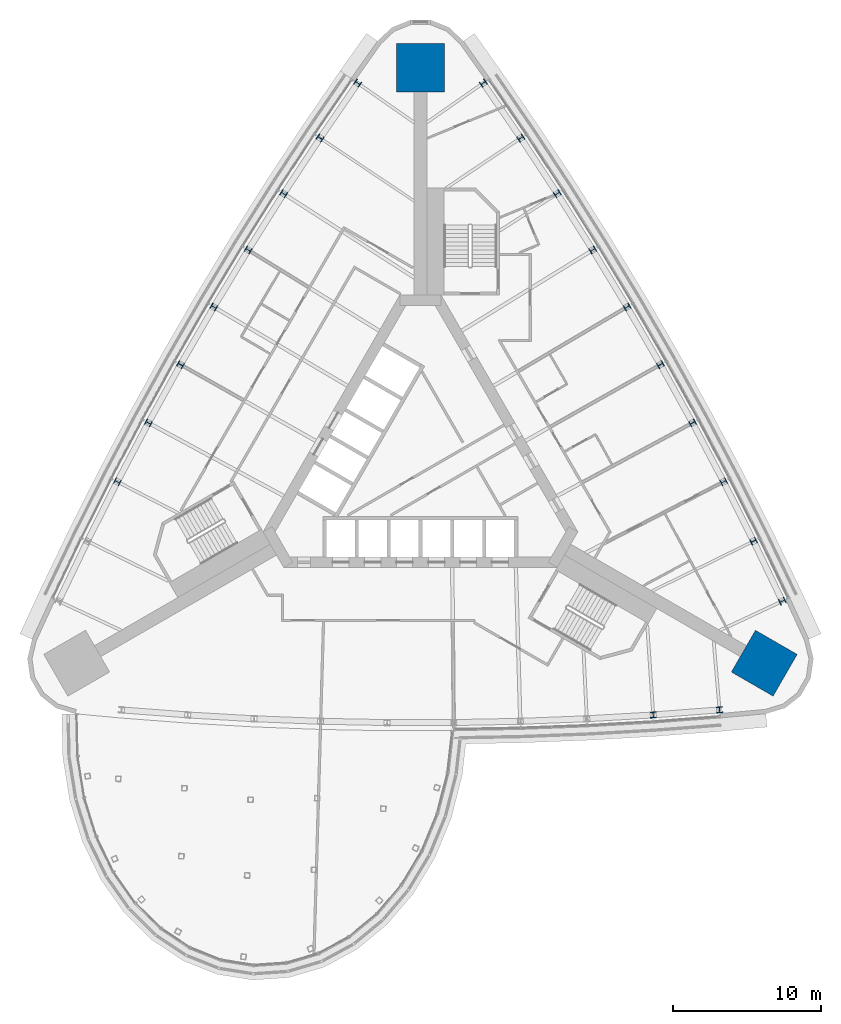
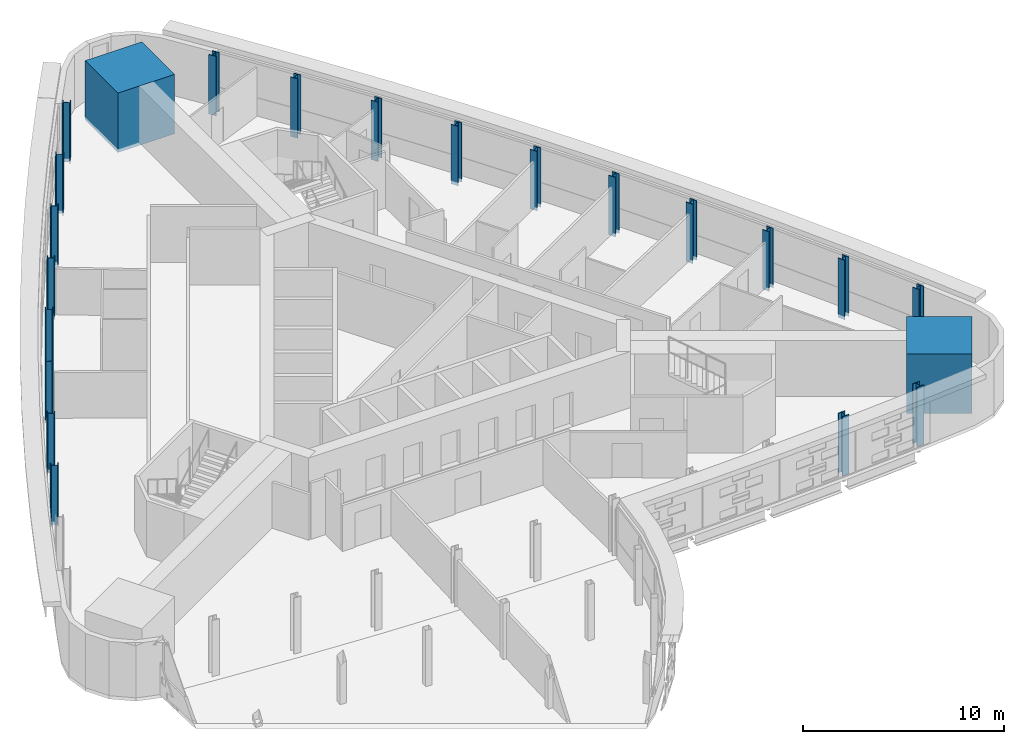
# One storey, part 2 of 15: 22 columns.
"""IFC4 building model written with IfcOpenShell, lengths in metres."""

from ifc_helpers import new_model, si_unit, direction, frame, origin, origin_2d, place, context, subcontext, project, spatial, rectangle, i_section, extrude, material, material_profile, profile_set, type_object, element, save


model = new_model("IFC4")

# Units and contexts
model_context = context("Model", 3, precision=1e-05, world=origin(), true_north=direction((0.0, 1.0)))
body_context = subcontext(model_context, "Body", "Model", "MODEL_VIEW")
ifc_project = project(units=[si_unit("LENGTHUNIT", "METRE"), si_unit("AREAUNIT", "SQUARE_METRE"), si_unit("VOLUMEUNIT", "CUBIC_METRE"), si_unit("PLANEANGLEUNIT", "RADIAN"), si_unit("MASSUNIT", "GRAM", prefix="KILO")], contexts=[model_context])

# Site, building, storey
site_placement = place(None, origin())
site = spatial("IfcSite", under=ifc_project, at=site_placement, CompositionType="ELEMENT")
building_placement = place(site_placement, origin())
building = spatial("IfcBuilding", under=site, at=building_placement, Name="Noor Cloister Tower", CompositionType="ELEMENT")
storey_placement = place(building_placement, frame((0.0, 0.0, 58.199951171875)))
storey = spatial("IfcBuildingStorey", under=building, at=storey_placement, Name="L14", CompositionType="ELEMENT", Elevation=58.199951171875)

# Columns
ifc_material_1 = material(Name="Steel ASTM A992 Gr 50", Category="steel")
ifc_material_profile_1 = material_profile(ifc_material_1, i_section(OverallWidth=0.404052734375, OverallDepth=0.406005859375, WebThickness=0.027099609375, FlangeThickness=0.043701171875, FilletRadius=0.01513671875, at=origin_2d()), Name="W360x347")
ifc_profile_set_1 = profile_set([ifc_material_profile_1], Name="Steel ASTM A992 Gr 50")
column_type_1 = type_object("IfcColumnType", Name="Column W360x347", PredefinedType="COLUMN", material=ifc_profile_set_1)
for number, where, z_axis, x_axis, name in (
    (1, (-4.23291015625, 25.7431640625, -0.199951171875), (0.0, 0.0, 1.0), (-0.572483892702, -0.81991596679, 0.0), "Column NW 01 L14"),
    (2, (-6.767578125, 22.037841796875, -0.199951171875), (0.0, 0.0, 1.0), (-0.556723105522, -0.830698130356, 0.0), "Column NW 02 L14"),
    (3, (-9.231201171875, 18.284912109375, -0.199951171875), (0.0, 0.0, 1.0), (-0.540759305107, -0.84117737365, 0.0), "Column NW 03 L14"),
    (4, (-11.622802734375, 14.4853515625, -0.199951171875), (0.0, 0.0, 1.0), (-0.524598312775, -0.851349875335, 0.0), "Column NW 04 L14"),
    (5, (-13.94140625, 10.64111328125, -0.199951171875), (0.0, 0.0, 1.0), (-0.508246021753, -0.861211925935, 0.0), "Column NW 05 L14"),
    (6, (-16.18603515625, 6.753173828125, -0.199951171875), (0.0, 0.0, 1.0), (-0.491708395025, -0.870759929178, 0.0), "Column NW 06 L14"),
    (7, (-18.356201171875, 2.822998046875, -0.199951171875), (0.0, 0.0, 1.0), (-0.474991463162, -0.879990403313, 0.0), "Column NW 07 L14"),
    (8, (-20.45068359375, -1.14794921875, -0.199951171875), (0.0, 0.0, 1.0), (-0.458101322116, -0.88889998238, 0.0), "Column NW 08 L14"),
    (9, (15.70166015625, -16.8798828125, -0.199951171875), (0.0, 0.0, 1.0), (0.997767236526, 0.066787287078, 0.0), "Column S 09 L14"),
    (10, (20.177978515625, -16.537353515625, -0.199951171875), (0.0, 0.0, 1.0), (0.996310002559, 0.085827610942, 0.0), "Column S 10 L14"),
    (11, (24.41064453125, -9.205810546875, -0.199951171875), (0.0, 0.0, 1.0), (-0.423826109857, 0.905743577732, 0.0), "Column NE 01 L14"),
    (12, (22.46923828125, -5.157958984375, -0.199951171875), (0.0, 0.0, 1.0), (-0.441044131004, 0.897485417434, 0.0), "Column NE 02 L14"),
    (13, (20.45068359375, -1.14794921875, -0.199951171875), (0.0, 0.0, 1.0), (-0.458101322116, 0.88889998238, 0.0), "Column NE 03 L14"),
    (14, (18.356201171875, 2.822998046875, -0.199951171875), (0.0, 0.0, 1.0), (-0.474991463162, 0.879990403313, 0.0), "Column NE 04 L14"),
    (15, (16.18603515625, 6.753173828125, -0.199951171875), (0.0, 0.0, 1.0), (-0.491708395025, 0.870759929178, 0.0), "Column NE 05 L14"),
    (16, (13.94140625, 10.64111328125, -0.199951171875), (0.0, 0.0, 1.0), (-0.508246021753, 0.861211925935, 0.0), "Column NE 06 L14"),
    (17, (11.622802734375, 14.4853515625, -0.199951171875), (0.0, 0.0, 1.0), (-0.524598312775, 0.851349875335, 0.0), "Column NE 07 L14"),
    (18, (9.231201171875, 18.284912109375, -0.199951171875), (0.0, 0.0, 1.0), (-0.540759305107, 0.84117737365, 0.0), "Column NE 08 L14"),
    (19, (6.767578125, 22.037841796875, -0.199951171875), (0.0, 0.0, 1.0), (-0.556723105522, 0.830698130356, 0.0), "Column NE 09 L14"),
    (20, (4.23291015625, 25.7431640625, -0.199951171875), (0.0, 0.0, 1.0), (-0.572483892702, 0.81991596679, 0.0), "Column NE 10 L14"),
):
    element("IfcColumn", number, at=place(storey_placement, frame(where, z_axis=z_axis, x_axis=x_axis)), inside=storey, type_object=column_type_1, Name=name, PredefinedType="COLUMN", context=body_context, shape_type="SweptSolid", body=[
        extrude(i_section(OverallWidth=0.404052734375, OverallDepth=0.406005859375, WebThickness=0.027099609375, FlangeThickness=0.043701171875, FilletRadius=0.01513671875, at=origin_2d()), origin(), (0.0, 0.0, 1.0), 3.60009765625),
    ])
ifc_material_2 = material(Name="Concrete C80/95", Category="concrete")
ifc_material_profile_2 = material_profile(ifc_material_2, rectangle(XDim=3.25, YDim=3.25, at=origin_2d()), Name="RC 3250x3250")
ifc_profile_set_2 = profile_set([ifc_material_profile_2], Name="Concrete C80/95")
column_type_2 = type_object("IfcColumnType", Name="Corner pier 3250 x 3250 C80/95", PredefinedType="COLUMN", material=ifc_profile_set_2)
for number, where, z_axis, x_axis, name in (
    (21, (0.0, 26.780029296875, -0.199951171875), (0.0, 0.0, 1.0), (0.0, 1.0, 0.0), "Corner pier N L14"),
    (22, (23.192138671875, -13.389892578125, -0.199951171875), (0.0, 0.0, 1.0), (0.866025403784, -0.5, 0.0), "Corner pier SE L14"),
):
    element("IfcColumn", number, at=place(storey_placement, frame(where, z_axis=z_axis, x_axis=x_axis)), inside=storey, type_object=column_type_2, Name=name, PredefinedType="COLUMN", context=body_context, shape_type="SweptSolid", body=[
        extrude(rectangle(XDim=3.25, YDim=3.25, at=origin_2d()), origin(), (0.0, 0.0, 1.0), 3.60009765625),
    ])

save(model, "model.ifc")
